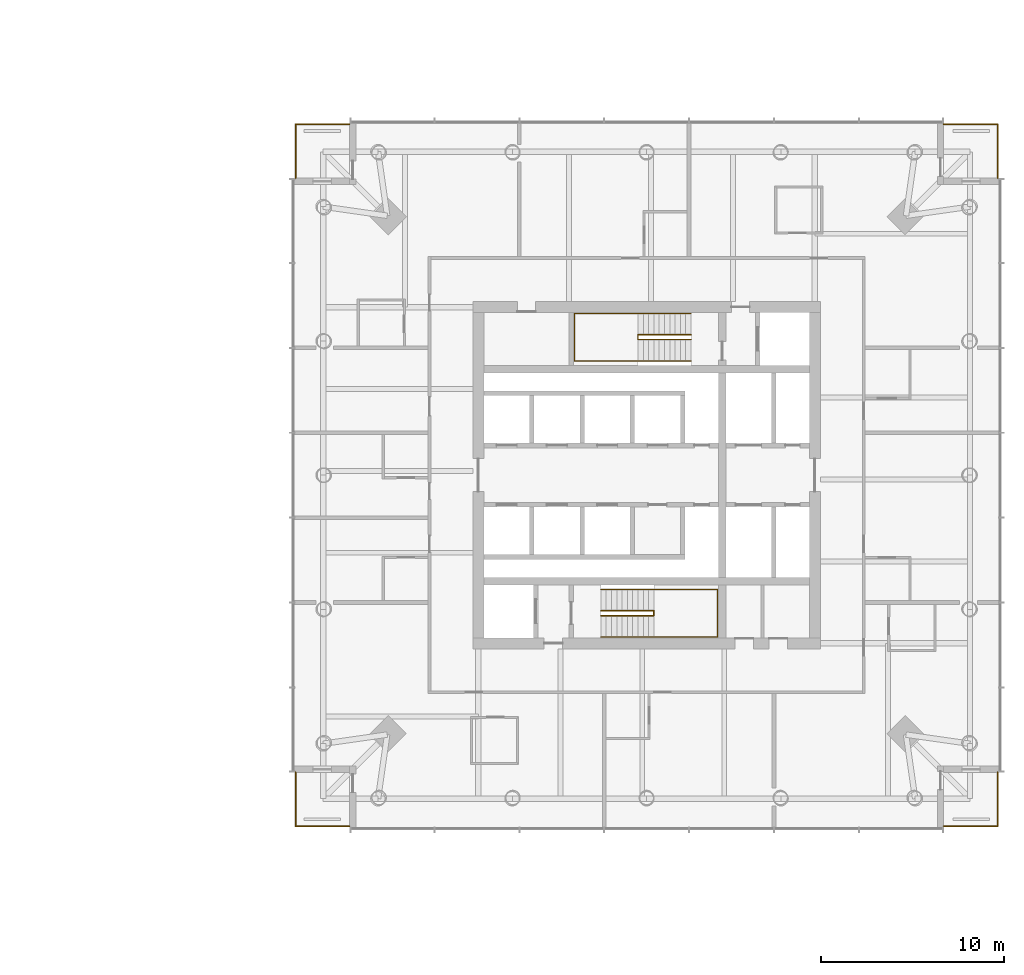
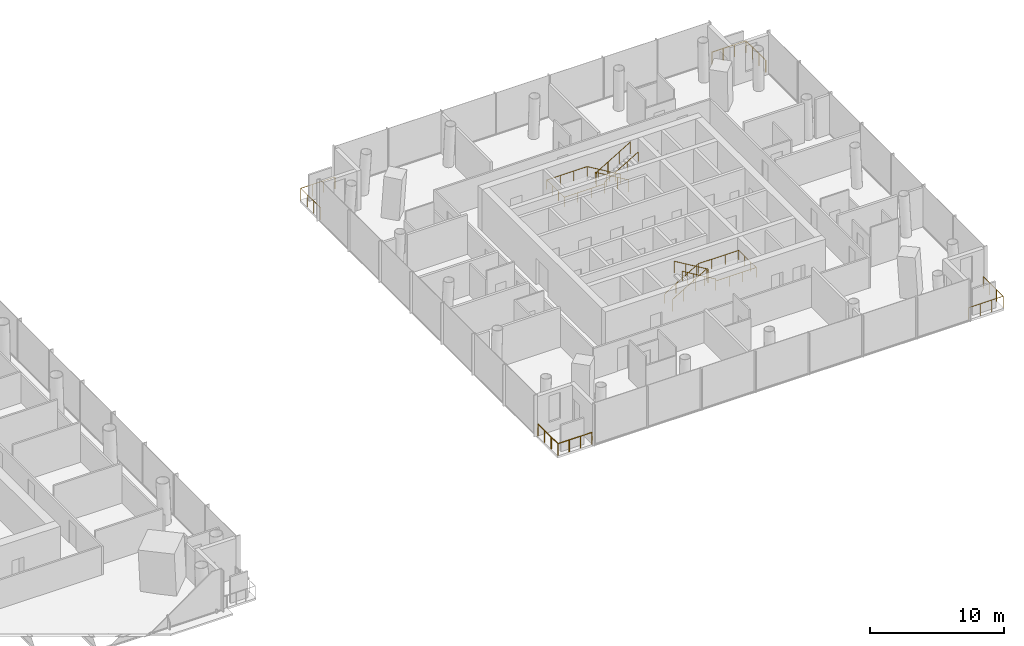
# One storey, part 26 of 26: 8 railings.
"""IFC4 building model written with IfcOpenShell, lengths in metres."""

from ifc_helpers import new_model, si_unit, direction, frame, origin, origin_2d, place, context, subcontext, project, spatial, circle, extrude, material, type_object, element, save


model = new_model("IFC4")

# Units and contexts
model_context = context("Model", 3, precision=1e-05, world=origin(), true_north=direction((0.0, 1.0)))
body_context = subcontext(model_context, "Body", "Model", "MODEL_VIEW")
ifc_project = project(units=[si_unit("LENGTHUNIT", "METRE"), si_unit("AREAUNIT", "SQUARE_METRE"), si_unit("VOLUMEUNIT", "CUBIC_METRE"), si_unit("PLANEANGLEUNIT", "RADIAN"), si_unit("MASSUNIT", "GRAM", prefix="KILO")], contexts=[model_context])

# Site, building, storey
site_placement = place(None, origin())
site = spatial("IfcSite", under=ifc_project, at=site_placement, CompositionType="ELEMENT")
building_placement = place(site_placement, origin())
building = spatial("IfcBuilding", under=site, at=building_placement, Name="Ostroluk Exchange", CompositionType="ELEMENT")
storey_placement = place(building_placement, frame((0.0, 0.0, 51.39990234375)))
storey = spatial("IfcBuildingStorey", under=building, at=storey_placement, Name="L12", CompositionType="ELEMENT", Elevation=51.39990234375)

# Railings
ifc_material_1 = material(Name="Stainless steel", Category="steel")
railing_type_1 = type_object("IfcRailingType", Name="Guard 1100 stainless steel", PredefinedType="GUARDRAIL", material=ifc_material_1)
railing_1_placement = place(storey_placement, frame((133.25, 26.800048828125, 0.0)))
element("IfcRailing", 1, at=railing_1_placement, inside=storey, type_object=railing_type_1, Name="Hotel tower SE balcony guard L12", PredefinedType="GUARDRAIL", context=body_context, shape_type="SweptSolid", body=[
    extrude(circle(Radius=0.02392578125, at=origin_2d()), frame((0.0, 0.0, 1.076171875), z_axis=(1.0, 0.0, 0.0), x_axis=(0.0, 1.0, 0.0)), (0.0, 0.0, 1.0), 2.949951171875),
    extrude(circle(Radius=0.02392578125, at=origin_2d()), frame((2.949951171875, 0.0, 1.076171875), z_axis=(0.0, 1.0, 0.0), x_axis=(-1.0, 0.0, 0.0)), (0.0, 0.0, 1.0), 2.949951171875),
    extrude(circle(Radius=0.02099609375, at=origin_2d()), origin(), (0.0, 0.0, 1.0), 1.052001953125),
    extrude(circle(Radius=0.02099609375, at=origin_2d()), frame((0.9833984375, 0.0, 0.0)), (0.0, 0.0, 1.0), 1.052001953125),
    extrude(circle(Radius=0.02099609375, at=origin_2d()), frame((1.966552734375, 0.0, 0.0)), (0.0, 0.0, 1.0), 1.052001953125),
    extrude(circle(Radius=0.02099609375, at=origin_2d()), frame((2.949951171875, 0.0, 0.0)), (0.0, 0.0, 1.0), 1.052001953125),
    extrude(circle(Radius=0.02099609375, at=origin_2d()), frame((2.949951171875, 0.9833984375, 0.0)), (0.0, 0.0, 1.0), 1.052001953125),
    extrude(circle(Radius=0.02099609375, at=origin_2d()), frame((2.949951171875, 1.966552734375, 0.0)), (0.0, 0.0, 1.0), 1.052001953125),
    extrude(circle(Radius=0.02099609375, at=origin_2d()), frame((2.949951171875, 2.949951171875, 0.0)), (0.0, 0.0, 1.0), 1.052001953125),
])
railing_2_placement = place(storey_placement, frame((133.25, 65.199951171875, 0.0)))
element("IfcRailing", 2, at=railing_2_placement, inside=storey, type_object=railing_type_1, Name="Hotel tower NE balcony guard L12", PredefinedType="GUARDRAIL", context=body_context, shape_type="SweptSolid", body=[
    extrude(circle(Radius=0.02392578125, at=origin_2d()), frame((0.0, 0.0, 1.076171875), z_axis=(1.0, 0.0, 0.0), x_axis=(0.0, 1.0, 0.0)), (0.0, 0.0, 1.0), 2.949951171875),
    extrude(circle(Radius=0.02392578125, at=origin_2d()), frame((2.949951171875, 0.0, 1.076171875), z_axis=(0.0, -1.0, 0.0), x_axis=(1.0, 0.0, 0.0)), (0.0, 0.0, 1.0), 2.949951171875),
    extrude(circle(Radius=0.02099609375, at=origin_2d()), origin(), (0.0, 0.0, 1.0), 1.052001953125),
    extrude(circle(Radius=0.02099609375, at=origin_2d()), frame((0.9833984375, 0.0, 0.0)), (0.0, 0.0, 1.0), 1.052001953125),
    extrude(circle(Radius=0.02099609375, at=origin_2d()), frame((1.966552734375, 0.0, 0.0)), (0.0, 0.0, 1.0), 1.052001953125),
    extrude(circle(Radius=0.02099609375, at=origin_2d()), frame((2.949951171875, 0.0, 0.0)), (0.0, 0.0, 1.0), 1.052001953125),
    extrude(circle(Radius=0.02099609375, at=origin_2d()), frame((2.949951171875, -0.9833984375, 0.0)), (0.0, 0.0, 1.0), 1.052001953125),
    extrude(circle(Radius=0.02099609375, at=origin_2d()), frame((2.949951171875, -1.966552734375, 0.0)), (0.0, 0.0, 1.0), 1.052001953125),
    extrude(circle(Radius=0.02099609375, at=origin_2d()), frame((2.949951171875, -2.949951171875, 0.0)), (0.0, 0.0, 1.0), 1.052001953125),
])
railing_3_placement = place(storey_placement, frame((100.75, 65.199951171875, 0.0)))
element("IfcRailing", 3, at=railing_3_placement, inside=storey, type_object=railing_type_1, Name="Hotel tower NW balcony guard L12", PredefinedType="GUARDRAIL", context=body_context, shape_type="SweptSolid", body=[
    extrude(circle(Radius=0.02392578125, at=origin_2d()), frame((0.0, 0.0, 1.076171875), z_axis=(-1.0, 0.0, 0.0), x_axis=(0.0, -1.0, 0.0)), (0.0, 0.0, 1.0), 2.949951171875),
    extrude(circle(Radius=0.02392578125, at=origin_2d()), frame((-2.949951171875, 0.0, 1.076171875), z_axis=(0.0, -1.0, 0.0), x_axis=(1.0, 0.0, 0.0)), (0.0, 0.0, 1.0), 2.949951171875),
    extrude(circle(Radius=0.02099609375, at=origin_2d()), origin(), (0.0, 0.0, 1.0), 1.052001953125),
    extrude(circle(Radius=0.02099609375, at=origin_2d()), frame((-0.9833984375, 0.0, 0.0)), (0.0, 0.0, 1.0), 1.052001953125),
    extrude(circle(Radius=0.02099609375, at=origin_2d()), frame((-1.966552734375, 0.0, 0.0)), (0.0, 0.0, 1.0), 1.052001953125),
    extrude(circle(Radius=0.02099609375, at=origin_2d()), frame((-2.949951171875, 0.0, 0.0)), (0.0, 0.0, 1.0), 1.052001953125),
    extrude(circle(Radius=0.02099609375, at=origin_2d()), frame((-2.949951171875, -0.9833984375, 0.0)), (0.0, 0.0, 1.0), 1.052001953125),
    extrude(circle(Radius=0.02099609375, at=origin_2d()), frame((-2.949951171875, -1.966552734375, 0.0)), (0.0, 0.0, 1.0), 1.052001953125),
    extrude(circle(Radius=0.02099609375, at=origin_2d()), frame((-2.949951171875, -2.949951171875, 0.0)), (0.0, 0.0, 1.0), 1.052001953125),
])
railing_4_placement = place(storey_placement, frame((100.75, 26.800048828125, 0.0)))
element("IfcRailing", 4, at=railing_4_placement, inside=storey, type_object=railing_type_1, Name="Hotel tower SW balcony guard L12", PredefinedType="GUARDRAIL", context=body_context, shape_type="SweptSolid", body=[
    extrude(circle(Radius=0.02392578125, at=origin_2d()), frame((0.0, 0.0, 1.076171875), z_axis=(-1.0, 0.0, 0.0), x_axis=(0.0, -1.0, 0.0)), (0.0, 0.0, 1.0), 2.949951171875),
    extrude(circle(Radius=0.02392578125, at=origin_2d()), frame((-2.949951171875, 0.0, 1.076171875), z_axis=(0.0, 1.0, 0.0), x_axis=(-1.0, 0.0, 0.0)), (0.0, 0.0, 1.0), 2.949951171875),
    extrude(circle(Radius=0.02099609375, at=origin_2d()), origin(), (0.0, 0.0, 1.0), 1.052001953125),
    extrude(circle(Radius=0.02099609375, at=origin_2d()), frame((-0.9833984375, 0.0, 0.0)), (0.0, 0.0, 1.0), 1.052001953125),
    extrude(circle(Radius=0.02099609375, at=origin_2d()), frame((-1.966552734375, 0.0, 0.0)), (0.0, 0.0, 1.0), 1.052001953125),
    extrude(circle(Radius=0.02099609375, at=origin_2d()), frame((-2.949951171875, 0.0, 0.0)), (0.0, 0.0, 1.0), 1.052001953125),
    extrude(circle(Radius=0.02099609375, at=origin_2d()), frame((-2.949951171875, 0.9833984375, 0.0)), (0.0, 0.0, 1.0), 1.052001953125),
    extrude(circle(Radius=0.02099609375, at=origin_2d()), frame((-2.949951171875, 1.966552734375, 0.0)), (0.0, 0.0, 1.0), 1.052001953125),
    extrude(circle(Radius=0.02099609375, at=origin_2d()), frame((-2.949951171875, 2.949951171875, 0.0)), (0.0, 0.0, 1.0), 1.052001953125),
])
ifc_material_2 = material(Name="Steel S355", Category="steel")
railing_type_2 = type_object("IfcRailingType", Name="Stair guard 1100", PredefinedType="GUARDRAIL", material=ifc_material_2)
railing_5_placement = place(storey_placement, frame((114.5, 38.580078125, 0.1728515625)))
element("IfcRailing", 5, at=railing_5_placement, inside=storey, type_object=railing_type_2, Name="Stair T2-S1 guard L12", PredefinedType="GUARDRAIL", context=body_context, shape_type="SweptSolid", body=[
    extrude(circle(Radius=0.02392578125, at=origin_2d()), frame((0.0, 0.0, 1.076171875), z_axis=(0.859141464434, 0.0, 0.511738159696), x_axis=(0.0, 1.0, 0.0)), (0.0, 0.0, 1.0), 3.375244140625),
    extrude(circle(Radius=0.02392578125, at=origin_2d()), frame((2.89990234375, 0.0, 2.80322265625), z_axis=(0.0, -1.0, 0.0), x_axis=(1.0, 0.0, 0.0)), (0.0, 0.0, 1.0), 0.260009765625),
    extrude(circle(Radius=0.02392578125, at=origin_2d()), frame((2.89990234375, -0.260009765625, 2.80322265625), z_axis=(0.0, 0.0, 1.0), x_axis=(1.0, 0.0, 0.0)), (0.0, 0.0, 1.0), 0.172607421875),
    extrude(circle(Radius=0.02392578125, at=origin_2d()), frame((2.89990234375, -0.260009765625, 2.97607421875), z_axis=(-0.859141464434, 0.0, 0.511738159696), x_axis=(0.0, -1.0, 0.0)), (0.0, 0.0, 1.0), 3.375244140625),
    extrude(circle(Radius=0.02099609375, at=origin_2d()), origin(), (0.0, 0.0, 1.0), 1.052001953125),
    extrude(circle(Radius=0.02099609375, at=origin_2d()), frame((0.966552734375, 0.0, 0.57568359375)), (0.0, 0.0, 1.0), 1.052001953125),
    extrude(circle(Radius=0.02099609375, at=origin_2d()), frame((1.933349609375, 0.0, 1.151611328125)), (0.0, 0.0, 1.0), 1.052001953125),
    extrude(circle(Radius=0.02099609375, at=origin_2d()), frame((2.89990234375, 0.0, 1.727294921875)), (0.0, 0.0, 1.0), 1.052001953125),
    extrude(circle(Radius=0.02099609375, at=origin_2d()), frame((2.89990234375, -0.260009765625, 1.727294921875)), (0.0, 0.0, 1.0), 1.052001953125),
    extrude(circle(Radius=0.02099609375, at=origin_2d()), frame((2.89990234375, -0.260009765625, 1.89990234375)), (0.0, 0.0, 1.0), 1.052001953125),
    extrude(circle(Radius=0.02099609375, at=origin_2d()), frame((1.933349609375, -0.260009765625, 2.4755859375)), (0.0, 0.0, 1.0), 1.052001953125),
    extrude(circle(Radius=0.02099609375, at=origin_2d()), frame((0.966552734375, -0.260009765625, 3.051513671875)), (0.0, 0.0, 1.0), 1.052001953125),
    extrude(circle(Radius=0.02099609375, at=origin_2d()), frame((0.0, -0.260009765625, 3.627197265625)), (0.0, 0.0, 1.0), 1.052001953125),
])
railing_6_placement = place(storey_placement, frame((119.429931640625, 53.679931640625, 0.1728515625)))
element("IfcRailing", 6, at=railing_6_placement, inside=storey, type_object=railing_type_2, Name="Stair T2-S2 guard L12", PredefinedType="GUARDRAIL", context=body_context, shape_type="SweptSolid", body=[
    extrude(circle(Radius=0.02392578125, at=origin_2d()), frame((0.0, 0.0, 1.076171875), z_axis=(-0.859141464434, 0.0, 0.511738159696), x_axis=(0.0, -1.0, 0.0)), (0.0, 0.0, 1.0), 3.375244140625),
    extrude(circle(Radius=0.02392578125, at=origin_2d()), frame((-2.89990234375, 0.0, 2.80322265625), z_axis=(0.0, -1.0, 0.0), x_axis=(1.0, 0.0, 0.0)), (0.0, 0.0, 1.0), 0.260009765625),
    extrude(circle(Radius=0.02392578125, at=origin_2d()), frame((-2.89990234375, -0.260009765625, 2.80322265625), z_axis=(0.0, 0.0, 1.0), x_axis=(1.0, 0.0, 0.0)), (0.0, 0.0, 1.0), 0.172607421875),
    extrude(circle(Radius=0.02392578125, at=origin_2d()), frame((-2.89990234375, -0.260009765625, 2.97607421875), z_axis=(0.859141464434, 0.0, 0.511738159696), x_axis=(0.0, 1.0, 0.0)), (0.0, 0.0, 1.0), 3.375244140625),
    extrude(circle(Radius=0.02099609375, at=origin_2d()), origin(), (0.0, 0.0, 1.0), 1.052001953125),
    extrude(circle(Radius=0.02099609375, at=origin_2d()), frame((-0.966552734375, 0.0, 0.57568359375)), (0.0, 0.0, 1.0), 1.052001953125),
    extrude(circle(Radius=0.02099609375, at=origin_2d()), frame((-1.933349609375, 0.0, 1.151611328125)), (0.0, 0.0, 1.0), 1.052001953125),
    extrude(circle(Radius=0.02099609375, at=origin_2d()), frame((-2.89990234375, 0.0, 1.727294921875)), (0.0, 0.0, 1.0), 1.052001953125),
    extrude(circle(Radius=0.02099609375, at=origin_2d()), frame((-2.89990234375, -0.260009765625, 1.727294921875)), (0.0, 0.0, 1.0), 1.052001953125),
    extrude(circle(Radius=0.02099609375, at=origin_2d()), frame((-2.89990234375, -0.260009765625, 1.89990234375)), (0.0, 0.0, 1.0), 1.052001953125),
    extrude(circle(Radius=0.02099609375, at=origin_2d()), frame((-1.933349609375, -0.260009765625, 2.4755859375)), (0.0, 0.0, 1.0), 1.052001953125),
    extrude(circle(Radius=0.02099609375, at=origin_2d()), frame((-0.966552734375, -0.260009765625, 3.051513671875)), (0.0, 0.0, 1.0), 1.052001953125),
    extrude(circle(Radius=0.02099609375, at=origin_2d()), frame((0.0, -0.260009765625, 3.627197265625)), (0.0, 0.0, 1.0), 1.052001953125),
])
ifc_material_3 = material(Name="Stainless steel", Category="steel")
railing_type_3 = type_object("IfcRailingType", Name="Stair handrail 900", PredefinedType="HANDRAIL", material=ifc_material_3)
railing_7_placement = place(storey_placement, frame((114.5, 39.75, 0.1728515625)))
element("IfcRailing", 7, at=railing_7_placement, inside=storey, type_object=railing_type_3, Name="Stair T2-S1 handrail L12", PredefinedType="HANDRAIL", context=body_context, shape_type="SweptSolid", body=[
    extrude(circle(Radius=0.02392578125, at=origin_2d()), frame((0.0, 0.0, 0.8759765625), z_axis=(0.859141464434, 0.0, 0.511738159696), x_axis=(0.0, 1.0, 0.0)), (0.0, 0.0, 1.0), 3.375244140625),
    extrude(circle(Radius=0.02392578125, at=origin_2d()), frame((2.89990234375, 0.0, 2.60302734375), z_axis=(1.0, 0.0, 0.0), x_axis=(0.0, 1.0, 0.0)), (0.0, 0.0, 1.0), 3.47998046875),
    extrude(circle(Radius=0.02392578125, at=origin_2d()), frame((6.3798828125, 0.0, 2.60302734375), z_axis=(0.0, -1.0, 0.0), x_axis=(1.0, 0.0, 0.0)), (0.0, 0.0, 1.0), 2.60009765625),
    extrude(circle(Radius=0.02392578125, at=origin_2d()), frame((6.3798828125, -2.60009765625, 2.60302734375), z_axis=(-1.0, 0.0, 0.0), x_axis=(0.0, -1.0, 0.0)), (0.0, 0.0, 1.0), 3.47998046875),
    extrude(circle(Radius=0.02392578125, at=origin_2d()), frame((2.89990234375, -2.60009765625, 2.60302734375), z_axis=(0.0, 0.0, 1.0), x_axis=(1.0, 0.0, 0.0)), (0.0, 0.0, 1.0), 0.172607421875),
    extrude(circle(Radius=0.02392578125, at=origin_2d()), frame((2.89990234375, -2.60009765625, 2.77587890625), z_axis=(-0.859141464434, 0.0, 0.511738159696), x_axis=(0.0, -1.0, 0.0)), (0.0, 0.0, 1.0), 3.375244140625),
    extrude(circle(Radius=0.02099609375, at=origin_2d()), origin(), (0.0, 0.0, 1.0), 0.851806640625),
    extrude(circle(Radius=0.02099609375, at=origin_2d()), frame((0.966552734375, 0.0, 0.57568359375)), (0.0, 0.0, 1.0), 0.851806640625),
    extrude(circle(Radius=0.02099609375, at=origin_2d()), frame((1.933349609375, 0.0, 1.151611328125)), (0.0, 0.0, 1.0), 0.851806640625),
    extrude(circle(Radius=0.02099609375, at=origin_2d()), frame((2.89990234375, 0.0, 1.727294921875)), (0.0, 0.0, 1.0), 0.851806640625),
    extrude(circle(Radius=0.02099609375, at=origin_2d()), frame((4.059814453125, 0.0, 1.727294921875)), (0.0, 0.0, 1.0), 0.851806640625),
    extrude(circle(Radius=0.02099609375, at=origin_2d()), frame((5.219970703125, 0.0, 1.727294921875)), (0.0, 0.0, 1.0), 0.851806640625),
    extrude(circle(Radius=0.02099609375, at=origin_2d()), frame((6.3798828125, 0.0, 1.727294921875)), (0.0, 0.0, 1.0), 0.851806640625),
    extrude(circle(Radius=0.02099609375, at=origin_2d()), frame((6.3798828125, -0.86669921875, 1.727294921875)), (0.0, 0.0, 1.0), 0.851806640625),
    extrude(circle(Radius=0.02099609375, at=origin_2d()), frame((6.3798828125, -1.7333984375, 1.727294921875)), (0.0, 0.0, 1.0), 0.851806640625),
    extrude(circle(Radius=0.02099609375, at=origin_2d()), frame((6.3798828125, -2.60009765625, 1.727294921875)), (0.0, 0.0, 1.0), 0.851806640625),
    extrude(circle(Radius=0.02099609375, at=origin_2d()), frame((5.219970703125, -2.60009765625, 1.727294921875)), (0.0, 0.0, 1.0), 0.851806640625),
    extrude(circle(Radius=0.02099609375, at=origin_2d()), frame((4.059814453125, -2.60009765625, 1.727294921875)), (0.0, 0.0, 1.0), 0.851806640625),
    extrude(circle(Radius=0.02099609375, at=origin_2d()), frame((2.89990234375, -2.60009765625, 1.727294921875)), (0.0, 0.0, 1.0), 0.851806640625),
    extrude(circle(Radius=0.02099609375, at=origin_2d()), frame((2.89990234375, -2.60009765625, 1.89990234375)), (0.0, 0.0, 1.0), 0.851806640625),
    extrude(circle(Radius=0.02099609375, at=origin_2d()), frame((1.933349609375, -2.60009765625, 2.4755859375)), (0.0, 0.0, 1.0), 0.851806640625),
    extrude(circle(Radius=0.02099609375, at=origin_2d()), frame((0.966552734375, -2.60009765625, 3.051513671875)), (0.0, 0.0, 1.0), 0.851806640625),
    extrude(circle(Radius=0.02099609375, at=origin_2d()), frame((0.0, -2.60009765625, 3.627197265625)), (0.0, 0.0, 1.0), 0.851806640625),
])
railing_8_placement = place(storey_placement, frame((119.429931640625, 54.85009765625, 0.1728515625)))
element("IfcRailing", 8, at=railing_8_placement, inside=storey, type_object=railing_type_3, Name="Stair T2-S2 handrail L12", PredefinedType="HANDRAIL", context=body_context, shape_type="SweptSolid", body=[
    extrude(circle(Radius=0.02392578125, at=origin_2d()), frame((0.0, 0.0, 0.8759765625), z_axis=(-0.859141464434, 0.0, 0.511738159696), x_axis=(0.0, -1.0, 0.0)), (0.0, 0.0, 1.0), 3.375244140625),
    extrude(circle(Radius=0.02392578125, at=origin_2d()), frame((-2.89990234375, 0.0, 2.60302734375), z_axis=(-1.0, 0.0, 0.0), x_axis=(0.0, -1.0, 0.0)), (0.0, 0.0, 1.0), 3.47998046875),
    extrude(circle(Radius=0.02392578125, at=origin_2d()), frame((-6.3798828125, 0.0, 2.60302734375), z_axis=(0.0, -1.0, 0.0), x_axis=(1.0, 0.0, 0.0)), (0.0, 0.0, 1.0), 2.60009765625),
    extrude(circle(Radius=0.02392578125, at=origin_2d()), frame((-6.3798828125, -2.60009765625, 2.60302734375), z_axis=(1.0, 0.0, 0.0), x_axis=(0.0, 1.0, 0.0)), (0.0, 0.0, 1.0), 3.47998046875),
    extrude(circle(Radius=0.02392578125, at=origin_2d()), frame((-2.89990234375, -2.60009765625, 2.60302734375), z_axis=(0.0, 0.0, 1.0), x_axis=(1.0, 0.0, 0.0)), (0.0, 0.0, 1.0), 0.172607421875),
    extrude(circle(Radius=0.02392578125, at=origin_2d()), frame((-2.89990234375, -2.60009765625, 2.77587890625), z_axis=(0.859141464434, 0.0, 0.511738159696), x_axis=(0.0, 1.0, 0.0)), (0.0, 0.0, 1.0), 3.375244140625),
    extrude(circle(Radius=0.02099609375, at=origin_2d()), origin(), (0.0, 0.0, 1.0), 0.851806640625),
    extrude(circle(Radius=0.02099609375, at=origin_2d()), frame((-0.966552734375, 0.0, 0.57568359375)), (0.0, 0.0, 1.0), 0.851806640625),
    extrude(circle(Radius=0.02099609375, at=origin_2d()), frame((-1.933349609375, 0.0, 1.151611328125)), (0.0, 0.0, 1.0), 0.851806640625),
    extrude(circle(Radius=0.02099609375, at=origin_2d()), frame((-2.89990234375, 0.0, 1.727294921875)), (0.0, 0.0, 1.0), 0.851806640625),
    extrude(circle(Radius=0.02099609375, at=origin_2d()), frame((-4.059814453125, 0.0, 1.727294921875)), (0.0, 0.0, 1.0), 0.851806640625),
    extrude(circle(Radius=0.02099609375, at=origin_2d()), frame((-5.219970703125, 0.0, 1.727294921875)), (0.0, 0.0, 1.0), 0.851806640625),
    extrude(circle(Radius=0.02099609375, at=origin_2d()), frame((-6.3798828125, 0.0, 1.727294921875)), (0.0, 0.0, 1.0), 0.851806640625),
    extrude(circle(Radius=0.02099609375, at=origin_2d()), frame((-6.3798828125, -0.86669921875, 1.727294921875)), (0.0, 0.0, 1.0), 0.851806640625),
    extrude(circle(Radius=0.02099609375, at=origin_2d()), frame((-6.3798828125, -1.7333984375, 1.727294921875)), (0.0, 0.0, 1.0), 0.851806640625),
    extrude(circle(Radius=0.02099609375, at=origin_2d()), frame((-6.3798828125, -2.60009765625, 1.727294921875)), (0.0, 0.0, 1.0), 0.851806640625),
    extrude(circle(Radius=0.02099609375, at=origin_2d()), frame((-5.219970703125, -2.60009765625, 1.727294921875)), (0.0, 0.0, 1.0), 0.851806640625),
    extrude(circle(Radius=0.02099609375, at=origin_2d()), frame((-4.059814453125, -2.60009765625, 1.727294921875)), (0.0, 0.0, 1.0), 0.851806640625),
    extrude(circle(Radius=0.02099609375, at=origin_2d()), frame((-2.89990234375, -2.60009765625, 1.727294921875)), (0.0, 0.0, 1.0), 0.851806640625),
    extrude(circle(Radius=0.02099609375, at=origin_2d()), frame((-2.89990234375, -2.60009765625, 1.89990234375)), (0.0, 0.0, 1.0), 0.851806640625),
    extrude(circle(Radius=0.02099609375, at=origin_2d()), frame((-1.933349609375, -2.60009765625, 2.4755859375)), (0.0, 0.0, 1.0), 0.851806640625),
    extrude(circle(Radius=0.02099609375, at=origin_2d()), frame((-0.966552734375, -2.60009765625, 3.051513671875)), (0.0, 0.0, 1.0), 0.851806640625),
    extrude(circle(Radius=0.02099609375, at=origin_2d()), frame((0.0, -2.60009765625, 3.627197265625)), (0.0, 0.0, 1.0), 0.851806640625),
])

save(model, "model.ifc")
